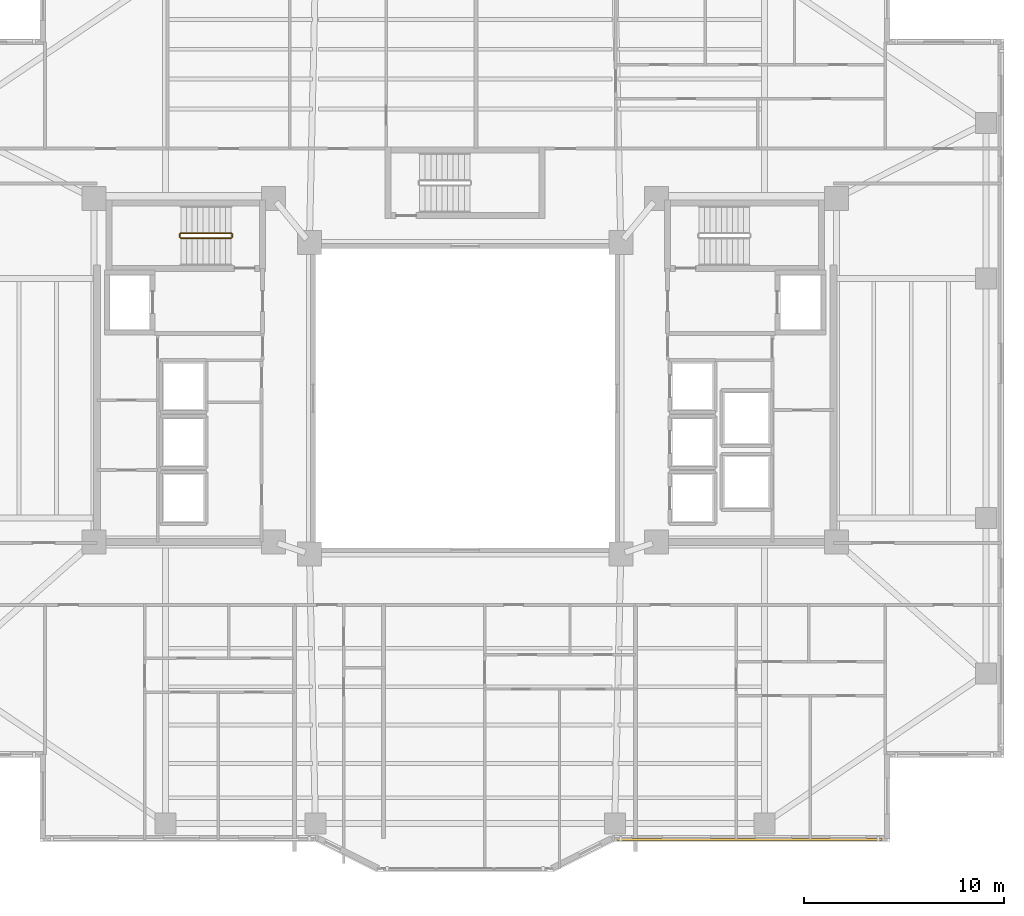
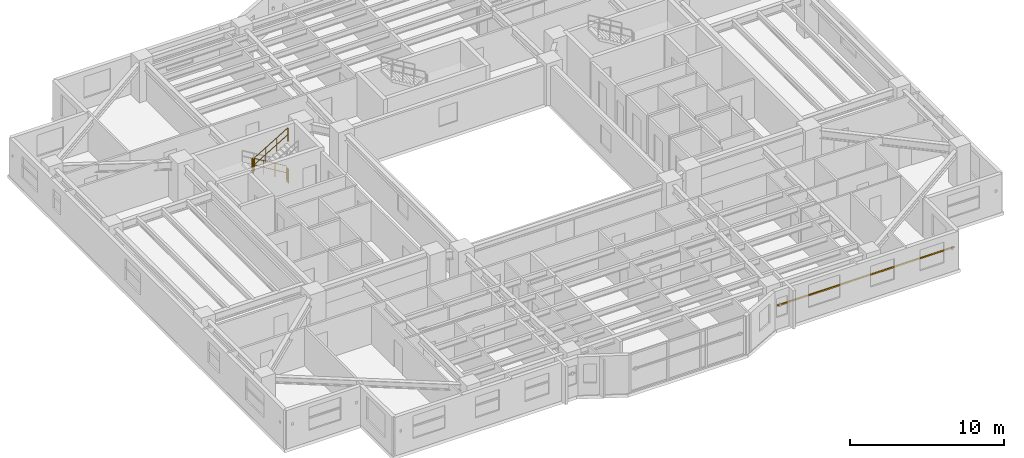
# One storey, part 15 of 18: 4 railings, 1 shading device.
"""IFC4 building model written with IfcOpenShell, lengths in metres."""

from ifc_helpers import new_model, si_unit, direction, frame, origin, origin_2d, place, context, subcontext, project, spatial, rectangle, circle, extrude, material, material_profile, profile_set, type_object, element, save


model = new_model("IFC4")

# Units and contexts
model_context = context("Model", 3, precision=1e-05, world=origin(), true_north=direction((0.0, 1.0)))
body_context = subcontext(model_context, "Body", "Model", "MODEL_VIEW")
ifc_project = project(units=[si_unit("LENGTHUNIT", "METRE"), si_unit("AREAUNIT", "SQUARE_METRE"), si_unit("VOLUMEUNIT", "CUBIC_METRE"), si_unit("PLANEANGLEUNIT", "RADIAN"), si_unit("MASSUNIT", "GRAM", prefix="KILO")], contexts=[model_context])

# Site, building, storey
site_placement = place(None, origin())
site = spatial("IfcSite", under=ifc_project, at=site_placement, CompositionType="ELEMENT")
building_placement = place(site_placement, origin())
building = spatial("IfcBuilding", under=site, at=building_placement, Name="Tarnavaz Court Tower", CompositionType="ELEMENT")
storey_placement = place(building_placement, frame((0.0, 0.0, 115.14990234375)))
storey = spatial("IfcBuildingStorey", under=building, at=storey_placement, Name="L31", CompositionType="ELEMENT", Elevation=115.14990234375)

# Railings
ifc_material_1 = material(Name="Galvanized Painted Tubular Steel", Category="steel")
railing_type = type_object("IfcRailingType", Name="RL-STGUARD-1120", PredefinedType="GUARDRAIL", material=ifc_material_1)
railing_1_placement = place(storey_placement, frame((-11.719970703125, 8.27001953125, 0.16748046875)))
element("IfcRailing", 1, at=railing_1_placement, inside=storey, type_object=railing_type, Name="L31 ST-W1 stair guard 1", PredefinedType="GUARDRAIL", context=body_context, shape_type="SweptSolid", body=[
    extrude(circle(Radius=0.02392578125, at=origin_2d()), frame((0.0, 0.0, 1.09619140625), z_axis=(-0.858159760407, 0.0, 0.513382728203), x_axis=(0.0, -1.0, 0.0)), (0.0, 0.0, 1.0), 2.9365234375),
    extrude(circle(Radius=0.02392578125, at=origin_2d()), frame((0.0, 0.0, 0.56005859375), z_axis=(-0.858159760407, 0.0, 0.513382728203), x_axis=(0.0, -1.0, 0.0)), (0.0, 0.0, 1.0), 2.9365234375),
    extrude(circle(Radius=0.02099609375, at=origin_2d()), origin(), (0.0, 0.0, 1.0), 1.072021484375),
    extrude(circle(Radius=0.02099609375, at=origin_2d()), frame((-0.840087890625, 0.0, 0.50244140625)), (0.0, 0.0, 1.0), 1.072021484375),
    extrude(circle(Radius=0.02099609375, at=origin_2d()), frame((-1.679931640625, 0.0, 1.005126953125)), (0.0, 0.0, 1.0), 1.072021484375),
    extrude(circle(Radius=0.02099609375, at=origin_2d()), frame((-2.52001953125, 0.0, 1.507568359375)), (0.0, 0.0, 1.0), 1.072021484375),
])
railing_2_placement = place(storey_placement, frame((-14.2900390625, 8.219970703125, 1.675048828125)))
element("IfcRailing", 2, at=railing_2_placement, inside=storey, type_object=railing_type, Name="L31 ST-W1 stair guard 2", PredefinedType="GUARDRAIL", context=body_context, shape_type="SweptSolid", body=[
    extrude(circle(Radius=0.02392578125, at=origin_2d()), frame((0.0, 0.0, 1.09619140625), z_axis=(0.0, -1.0, 0.0), x_axis=(1.0, 0.0, 0.0)), (0.0, 0.0, 1.0), 0.14990234375),
    extrude(circle(Radius=0.02392578125, at=origin_2d()), frame((0.0, 0.0, 0.56005859375), z_axis=(0.0, -1.0, 0.0), x_axis=(1.0, 0.0, 0.0)), (0.0, 0.0, 1.0), 0.14990234375),
    extrude(circle(Radius=0.02099609375, at=origin_2d()), origin(), (0.0, 0.0, 1.0), 1.072021484375),
    extrude(circle(Radius=0.02099609375, at=origin_2d()), frame((0.0, -0.14990234375, 0.0)), (0.0, 0.0, 1.0), 1.072021484375),
])
railing_3_placement = place(storey_placement, frame((-14.239990234375, 8.02001953125, 1.842529296875)))
element("IfcRailing", 3, at=railing_3_placement, inside=storey, type_object=railing_type, Name="L31 ST-W1 stair guard 3", PredefinedType="GUARDRAIL", context=body_context, shape_type="SweptSolid", body=[
    extrude(circle(Radius=0.02392578125, at=origin_2d()), frame((0.0, 0.0, 1.09619140625), z_axis=(0.858159760407, 0.0, 0.513382728203), x_axis=(0.0, 1.0, 0.0)), (0.0, 0.0, 1.0), 2.9365234375),
    extrude(circle(Radius=0.02392578125, at=origin_2d()), frame((0.0, 0.0, 0.56005859375), z_axis=(0.858159760407, 0.0, 0.513382728203), x_axis=(0.0, 1.0, 0.0)), (0.0, 0.0, 1.0), 2.9365234375),
    extrude(circle(Radius=0.02099609375, at=origin_2d()), origin(), (0.0, 0.0, 1.0), 1.072021484375),
    extrude(circle(Radius=0.02099609375, at=origin_2d()), frame((0.840087890625, 0.0, 0.50244140625)), (0.0, 0.0, 1.0), 1.072021484375),
    extrude(circle(Radius=0.02099609375, at=origin_2d()), frame((1.679931640625, 0.0, 1.005126953125)), (0.0, 0.0, 1.0), 1.072021484375),
    extrude(circle(Radius=0.02099609375, at=origin_2d()), frame((2.52001953125, 0.0, 1.507568359375)), (0.0, 0.0, 1.0), 1.072021484375),
])
railing_4_placement = place(storey_placement, frame((-11.669921875, 8.219970703125, 0.0)))
element("IfcRailing", 4, at=railing_4_placement, inside=storey, type_object=railing_type, Name="L31 ST-W1 stair guard 4", PredefinedType="GUARDRAIL", context=body_context, shape_type="SweptSolid", body=[
    extrude(circle(Radius=0.02392578125, at=origin_2d()), frame((0.0, 0.0, 1.09619140625), z_axis=(0.0, -1.0, 0.0), x_axis=(1.0, 0.0, 0.0)), (0.0, 0.0, 1.0), 0.14990234375),
    extrude(circle(Radius=0.02392578125, at=origin_2d()), frame((0.0, 0.0, 0.56005859375), z_axis=(0.0, -1.0, 0.0), x_axis=(1.0, 0.0, 0.0)), (0.0, 0.0, 1.0), 0.14990234375),
    extrude(circle(Radius=0.02099609375, at=origin_2d()), origin(), (0.0, 0.0, 1.0), 1.072021484375),
    extrude(circle(Radius=0.02099609375, at=origin_2d()), frame((0.0, -0.14990234375, 0.0)), (0.0, 0.0, 1.0), 1.072021484375),
])

# Shading device
ifc_material_2 = material(Name="Kiln-Fired Khorasan Terracotta Ceramic", Category="masonry")
ifc_material_profile = material_profile(ifc_material_2, rectangle(XDim=0.1201171875, YDim=0.06005859375, at=origin_2d()), Name="TC BAGUETTE 120X60")
ifc_profile_set = profile_set([ifc_material_profile], Name="Kiln-Fired Khorasan Terracotta Ceramic")
shading_device_type = type_object("IfcShadingDeviceType", Name="SD-BAG-120", PredefinedType="USERDEFINED", material=ifc_profile_set)
shading_device_placement = place(storey_placement, frame((20.89990234375, -22.110107421875, 1.85009765625), z_axis=(-1.0, 0.0, 0.0), x_axis=(0.0, -1.0, 0.0)))
element("IfcShadingDevice", 5, at=shading_device_placement, inside=storey, type_object=shading_device_type, Name="L31 Terracotta Baguette Screen FBG15", ObjectType="BAGUETTE", PredefinedType="USERDEFINED", context=body_context, shape_type="SweptSolid", body=[
    extrude(rectangle(XDim=0.1201171875, YDim=0.06005859375, at=origin_2d()), origin(), (0.0, 0.0, 1.0), 13.2998046875),
])

save(model, "model.ifc")
